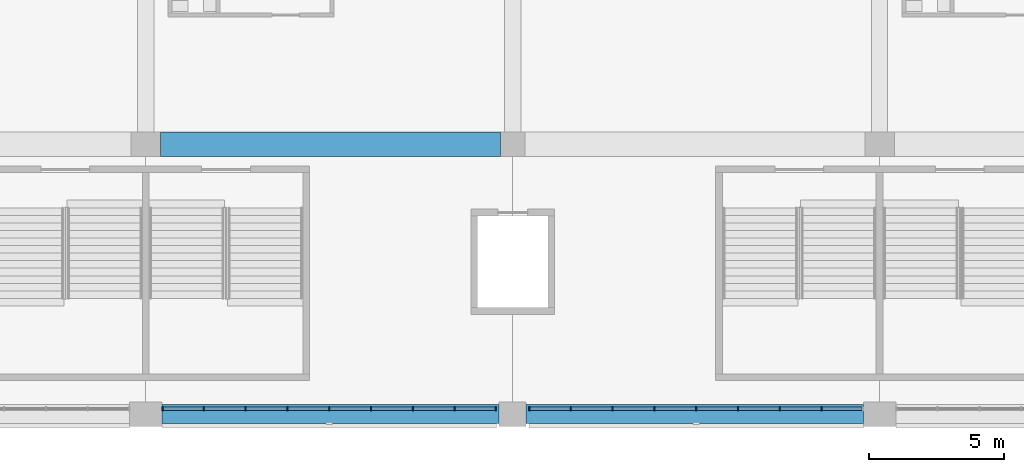
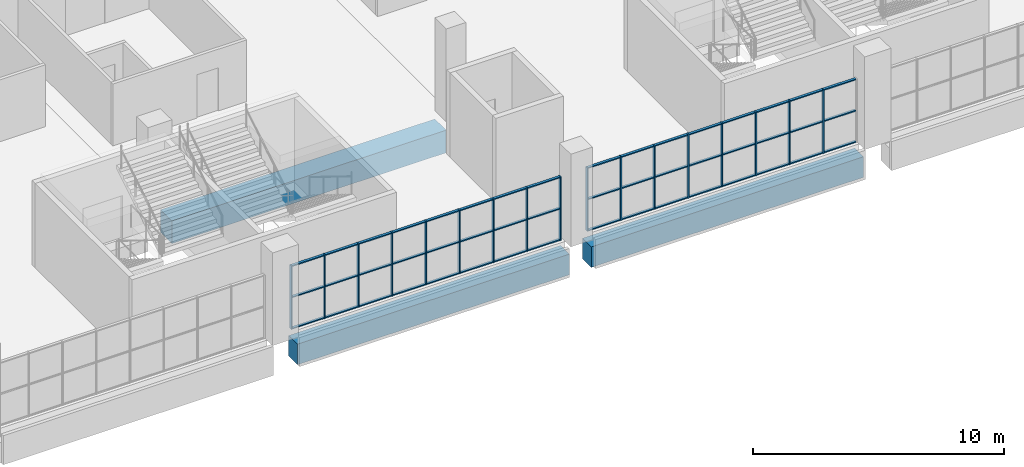
# One storey, part 11 of 199: 65 members, 3 beams, 2 elements without a shape of their own.
"""IFC4 building model written with IfcOpenShell, lengths in metres."""

from ifc_helpers import new_model, si_unit, direction, frame, origin, origin_2d, place, context, subcontext, project, spatial, rectangle, extrude, material, material_profile, profile_set, type_object, element, aggregate, save


model = new_model("IFC4")

# Units and contexts
model_context = context("Model", 3, precision=1e-05, world=origin(), true_north=direction((0.0, 1.0)))
body_context = subcontext(model_context, "Body", "Model", "MODEL_VIEW")
ifc_project = project(units=[si_unit("LENGTHUNIT", "METRE"), si_unit("AREAUNIT", "SQUARE_METRE"), si_unit("VOLUMEUNIT", "CUBIC_METRE"), si_unit("PLANEANGLEUNIT", "RADIAN"), si_unit("MASSUNIT", "GRAM", prefix="KILO")], contexts=[model_context])

# Site, building, storey
site_placement = place(None, origin())
site = spatial("IfcSite", under=ifc_project, at=site_placement, CompositionType="ELEMENT")
building_placement = place(site_placement, origin())
building = spatial("IfcBuilding", under=site, at=building_placement, Name="Ogive Plaza Stadium", CompositionType="ELEMENT")
storey_placement = place(building_placement, frame((0.0, 0.0, 9.0)))
storey = spatial("IfcBuildingStorey", under=building, at=storey_placement, Name="L02", CompositionType="ELEMENT", Elevation=9.0)

# Curtain wall, members
ifc_material_1 = material(Name="Bronze-anodised aluminium with laminated glass", Category="aluminium")
curtain_wall_type = type_object("IfcCurtainWallType", Name="Lancet curtain wall", PredefinedType="NOTDEFINED", material=ifc_material_1)
curtain_wall_1_placement = place(storey_placement, origin())
curtain_wall_1 = element("IfcCurtainWall", 1, at=curtain_wall_1_placement, inside=storey, type_object=curtain_wall_type, Name="CURTAIN WALL B14 L02", PredefinedType="NOTDEFINED")
ifc_material_2 = material(Name="Bronze-anodised aluminium", Category="aluminium")
ifc_material_profile_1 = material_profile(ifc_material_2, rectangle(XDim=0.14990234375, YDim=0.050048828125, at=origin_2d()), Name="AL 150x50")
ifc_profile_set_1 = profile_set([ifc_material_profile_1], Name="Bronze-anodised aluminium")
member_type_1 = type_object("IfcMemberType", Name="Curtain wall mullion 50x150", PredefinedType="MULLION", material=ifc_profile_set_1)
member_1_placement = place(storey_placement, frame((4.64990234375, -102.300048828125, 0.0), z_axis=(0.0, 0.0, 1.0), x_axis=(0.0, -1.0, 0.0)))
member_1 = element("IfcMember", 2, at=member_1_placement, type_object=member_type_1, Name="CW-B14-L02 mullion 2", PredefinedType="MULLION", context=body_context, shape_type="SweptSolid", body=[
    extrude(rectangle(XDim=0.14990234375, YDim=0.050048828125, at=origin_2d()), origin(), (0.0, 0.0, 1.0), 3.090087890625),
])
member_2_placement = place(storey_placement, frame((3.10009765625, -102.300048828125, 0.0), z_axis=(0.0, 0.0, 1.0), x_axis=(0.0, -1.0, 0.0)))
member_2 = element("IfcMember", 3, at=member_2_placement, type_object=member_type_1, Name="CW-B14-L02 mullion 3", PredefinedType="MULLION", context=body_context, shape_type="SweptSolid", body=[
    extrude(rectangle(XDim=0.14990234375, YDim=0.050048828125, at=origin_2d()), origin(), (0.0, 0.0, 1.0), 3.090087890625),
])
member_3_placement = place(storey_placement, frame((1.550048828125, -102.300048828125, 0.0), z_axis=(0.0, 0.0, 1.0), x_axis=(0.0, -1.0, 0.0)))
member_3 = element("IfcMember", 4, at=member_3_placement, type_object=member_type_1, Name="CW-B14-L02 mullion 4", PredefinedType="MULLION", context=body_context, shape_type="SweptSolid", body=[
    extrude(rectangle(XDim=0.14990234375, YDim=0.050048828125, at=origin_2d()), origin(), (0.0, 0.0, 1.0), 3.090087890625),
])
member_4_placement = place(storey_placement, frame((0.0, -102.300048828125, 0.0), z_axis=(0.0, 0.0, 1.0), x_axis=(0.0, -1.0, 0.0)))
member_4 = element("IfcMember", 5, at=member_4_placement, type_object=member_type_1, Name="CW-B14-L02 mullion 5", PredefinedType="MULLION", context=body_context, shape_type="SweptSolid", body=[
    extrude(rectangle(XDim=0.14990234375, YDim=0.050048828125, at=origin_2d()), origin(), (0.0, 0.0, 1.0), 3.090087890625),
])
member_5_placement = place(storey_placement, frame((-1.550048828125, -102.300048828125, 0.0), z_axis=(0.0, 0.0, 1.0), x_axis=(0.0, -1.0, 0.0)))
member_5 = element("IfcMember", 6, at=member_5_placement, type_object=member_type_1, Name="CW-B14-L02 mullion 6", PredefinedType="MULLION", context=body_context, shape_type="SweptSolid", body=[
    extrude(rectangle(XDim=0.14990234375, YDim=0.050048828125, at=origin_2d()), origin(), (0.0, 0.0, 1.0), 3.090087890625),
])
member_6_placement = place(storey_placement, frame((-3.10009765625, -102.300048828125, 0.0), z_axis=(0.0, 0.0, 1.0), x_axis=(0.0, -1.0, 0.0)))
member_6 = element("IfcMember", 7, at=member_6_placement, type_object=member_type_1, Name="CW-B14-L02 mullion 7", PredefinedType="MULLION", context=body_context, shape_type="SweptSolid", body=[
    extrude(rectangle(XDim=0.14990234375, YDim=0.050048828125, at=origin_2d()), origin(), (0.0, 0.0, 1.0), 3.090087890625),
])
member_7_placement = place(storey_placement, frame((-4.64990234375, -102.300048828125, 0.0), z_axis=(0.0, 0.0, 1.0), x_axis=(0.0, -1.0, 0.0)))
member_7 = element("IfcMember", 8, at=member_7_placement, type_object=member_type_1, Name="CW-B14-L02 mullion 8", PredefinedType="MULLION", context=body_context, shape_type="SweptSolid", body=[
    extrude(rectangle(XDim=0.14990234375, YDim=0.050048828125, at=origin_2d()), origin(), (0.0, 0.0, 1.0), 3.090087890625),
])
member_8_placement = place(storey_placement, frame((-6.175048828125, -102.300048828125, 0.0), z_axis=(0.0, 0.0, 1.0), x_axis=(0.0, -1.0, 0.0)))
member_8 = element("IfcMember", 9, at=member_8_placement, type_object=member_type_1, Name="CW-B14-L02 mullion 9", PredefinedType="MULLION", context=body_context, shape_type="SweptSolid", body=[
    extrude(rectangle(XDim=0.14990234375, YDim=0.050048828125, at=origin_2d()), origin(), (0.0, 0.0, 1.0), 3.090087890625),
])

curtain_wall_2_placement = place(storey_placement, origin())
curtain_wall_2 = element("IfcCurtainWall", 10, at=curtain_wall_2_placement, inside=storey, type_object=curtain_wall_type, Name="CURTAIN WALL B15 L02", PredefinedType="NOTDEFINED")
member_9_placement = place(storey_placement, frame((-7.425048828125, -102.300048828125, 0.0), z_axis=(0.0, 0.0, 1.0), x_axis=(0.0, -1.0, 0.0)))
member_9 = element("IfcMember", 11, at=member_9_placement, type_object=member_type_1, Name="CW-B15-L02 mullion 1", PredefinedType="MULLION", context=body_context, shape_type="SweptSolid", body=[
    extrude(rectangle(XDim=0.14990234375, YDim=0.050048828125, at=origin_2d()), origin(), (0.0, 0.0, 1.0), 3.090087890625),
])
member_10_placement = place(storey_placement, frame((-8.949951171875, -102.300048828125, 0.0), z_axis=(0.0, 0.0, 1.0), x_axis=(0.0, -1.0, 0.0)))
member_10 = element("IfcMember", 12, at=member_10_placement, type_object=member_type_1, Name="CW-B15-L02 mullion 2", PredefinedType="MULLION", context=body_context, shape_type="SweptSolid", body=[
    extrude(rectangle(XDim=0.14990234375, YDim=0.050048828125, at=origin_2d()), origin(), (0.0, 0.0, 1.0), 3.090087890625),
])
member_11_placement = place(storey_placement, frame((-10.5, -102.300048828125, 0.0), z_axis=(0.0, 0.0, 1.0), x_axis=(0.0, -1.0, 0.0)))
member_11 = element("IfcMember", 13, at=member_11_placement, type_object=member_type_1, Name="CW-B15-L02 mullion 3", PredefinedType="MULLION", context=body_context, shape_type="SweptSolid", body=[
    extrude(rectangle(XDim=0.14990234375, YDim=0.050048828125, at=origin_2d()), origin(), (0.0, 0.0, 1.0), 3.090087890625),
])
member_12_placement = place(storey_placement, frame((-12.050048828125, -102.300048828125, 0.0), z_axis=(0.0, 0.0, 1.0), x_axis=(0.0, -1.0, 0.0)))
member_12 = element("IfcMember", 14, at=member_12_placement, type_object=member_type_1, Name="CW-B15-L02 mullion 4", PredefinedType="MULLION", context=body_context, shape_type="SweptSolid", body=[
    extrude(rectangle(XDim=0.14990234375, YDim=0.050048828125, at=origin_2d()), origin(), (0.0, 0.0, 1.0), 3.090087890625),
])
member_13_placement = place(storey_placement, frame((-13.60009765625, -102.300048828125, 0.0), z_axis=(0.0, 0.0, 1.0), x_axis=(0.0, -1.0, 0.0)))
member_13 = element("IfcMember", 15, at=member_13_placement, type_object=member_type_1, Name="CW-B15-L02 mullion 5", PredefinedType="MULLION", context=body_context, shape_type="SweptSolid", body=[
    extrude(rectangle(XDim=0.14990234375, YDim=0.050048828125, at=origin_2d()), origin(), (0.0, 0.0, 1.0), 3.090087890625),
])
member_14_placement = place(storey_placement, frame((-15.14990234375, -102.300048828125, 0.0), z_axis=(0.0, 0.0, 1.0), x_axis=(0.0, -1.0, 0.0)))
member_14 = element("IfcMember", 16, at=member_14_placement, type_object=member_type_1, Name="CW-B15-L02 mullion 6", PredefinedType="MULLION", context=body_context, shape_type="SweptSolid", body=[
    extrude(rectangle(XDim=0.14990234375, YDim=0.050048828125, at=origin_2d()), origin(), (0.0, 0.0, 1.0), 3.090087890625),
])
member_15_placement = place(storey_placement, frame((-16.699951171875, -102.300048828125, 0.0), z_axis=(0.0, 0.0, 1.0), x_axis=(0.0, -1.0, 0.0)))
member_15 = element("IfcMember", 17, at=member_15_placement, type_object=member_type_1, Name="CW-B15-L02 mullion 7", PredefinedType="MULLION", context=body_context, shape_type="SweptSolid", body=[
    extrude(rectangle(XDim=0.14990234375, YDim=0.050048828125, at=origin_2d()), origin(), (0.0, 0.0, 1.0), 3.090087890625),
])
member_16_placement = place(storey_placement, frame((-18.25, -102.300048828125, 0.0), z_axis=(0.0, 0.0, 1.0), x_axis=(0.0, -1.0, 0.0)))
member_16 = element("IfcMember", 18, at=member_16_placement, type_object=member_type_1, Name="CW-B15-L02 mullion 8", PredefinedType="MULLION", context=body_context, shape_type="SweptSolid", body=[
    extrude(rectangle(XDim=0.14990234375, YDim=0.050048828125, at=origin_2d()), origin(), (0.0, 0.0, 1.0), 3.090087890625),
])
member_17_placement = place(storey_placement, frame((-19.77490234375, -102.300048828125, 0.0), z_axis=(0.0, 0.0, 1.0), x_axis=(0.0, -1.0, 0.0)))
member_17 = element("IfcMember", 19, at=member_17_placement, type_object=member_type_1, Name="CW-B15-L02 mullion 9", PredefinedType="MULLION", context=body_context, shape_type="SweptSolid", body=[
    extrude(rectangle(XDim=0.14990234375, YDim=0.050048828125, at=origin_2d()), origin(), (0.0, 0.0, 1.0), 3.090087890625),
])

# Member
ifc_material_3 = material(Name="Bronze-anodised aluminium", Category="aluminium")
ifc_material_profile_2 = material_profile(ifc_material_3, rectangle(XDim=0.1201171875, YDim=0.050048828125, at=origin_2d()), Name="AL 120x50")
ifc_profile_set_2 = profile_set([ifc_material_profile_2], Name="Bronze-anodised aluminium")
member_type_2 = type_object("IfcMemberType", Name="Curtain wall transom 50x120", PredefinedType="USERDEFINED", material=ifc_profile_set_2)
member_18_placement = place(storey_placement, frame((6.14990234375, -102.300048828125, 0.02490234375), z_axis=(-1.0, 0.0, 0.0), x_axis=(0.0, -1.0, 0.0)))
member_18 = element("IfcMember", 20, at=member_18_placement, type_object=member_type_2, Name="CW-B14-L02 transom 1.1", ObjectType="TRANSOM", PredefinedType="USERDEFINED", context=body_context, shape_type="SweptSolid", body=[
    extrude(rectangle(XDim=0.1201171875, YDim=0.050048828125, at=origin_2d()), origin(), (0.0, 0.0, 1.0), 1.474853515625),
])

member_19_placement = place(storey_placement, frame((6.14990234375, -102.300048828125, 1.544921875), z_axis=(-1.0, 0.0, 0.0), x_axis=(0.0, -1.0, 0.0)))
member_19 = element("IfcMember", 21, at=member_19_placement, type_object=member_type_2, Name="CW-B14-L02 transom 1.2", ObjectType="TRANSOM", PredefinedType="USERDEFINED", context=body_context, shape_type="SweptSolid", body=[
    extrude(rectangle(XDim=0.1201171875, YDim=0.050048828125, at=origin_2d()), origin(), (0.0, 0.0, 1.0), 1.474853515625),
])

member_20_placement = place(storey_placement, frame((6.14990234375, -102.300048828125, 3.06494140625), z_axis=(-1.0, 0.0, 0.0), x_axis=(0.0, -1.0, 0.0)))
member_20 = element("IfcMember", 22, at=member_20_placement, type_object=member_type_2, Name="CW-B14-L02 transom 1.3", ObjectType="TRANSOM", PredefinedType="USERDEFINED", context=body_context, shape_type="SweptSolid", body=[
    extrude(rectangle(XDim=0.1201171875, YDim=0.050048828125, at=origin_2d()), origin(), (0.0, 0.0, 1.0), 1.474853515625),
])

member_21_placement = place(storey_placement, frame((4.625, -102.300048828125, 0.02490234375), z_axis=(-1.0, 0.0, 0.0), x_axis=(0.0, -1.0, 0.0)))
member_21 = element("IfcMember", 23, at=member_21_placement, type_object=member_type_2, Name="CW-B14-L02 transom 2.1", ObjectType="TRANSOM", PredefinedType="USERDEFINED", context=body_context, shape_type="SweptSolid", body=[
    extrude(rectangle(XDim=0.1201171875, YDim=0.050048828125, at=origin_2d()), origin(), (0.0, 0.0, 1.0), 1.5),
])

member_22_placement = place(storey_placement, frame((4.625, -102.300048828125, 1.544921875), z_axis=(-1.0, 0.0, 0.0), x_axis=(0.0, -1.0, 0.0)))
member_22 = element("IfcMember", 24, at=member_22_placement, type_object=member_type_2, Name="CW-B14-L02 transom 2.2", ObjectType="TRANSOM", PredefinedType="USERDEFINED", context=body_context, shape_type="SweptSolid", body=[
    extrude(rectangle(XDim=0.1201171875, YDim=0.050048828125, at=origin_2d()), origin(), (0.0, 0.0, 1.0), 1.5),
])

member_23_placement = place(storey_placement, frame((4.625, -102.300048828125, 3.06494140625), z_axis=(-1.0, 0.0, 0.0), x_axis=(0.0, -1.0, 0.0)))
member_23 = element("IfcMember", 25, at=member_23_placement, type_object=member_type_2, Name="CW-B14-L02 transom 2.3", ObjectType="TRANSOM", PredefinedType="USERDEFINED", context=body_context, shape_type="SweptSolid", body=[
    extrude(rectangle(XDim=0.1201171875, YDim=0.050048828125, at=origin_2d()), origin(), (0.0, 0.0, 1.0), 1.5),
])

member_24_placement = place(storey_placement, frame((3.074951171875, -102.300048828125, 0.02490234375), z_axis=(-1.0, 0.0, 0.0), x_axis=(0.0, -1.0, 0.0)))
member_24 = element("IfcMember", 26, at=member_24_placement, type_object=member_type_2, Name="CW-B14-L02 transom 3.1", ObjectType="TRANSOM", PredefinedType="USERDEFINED", context=body_context, shape_type="SweptSolid", body=[
    extrude(rectangle(XDim=0.1201171875, YDim=0.050048828125, at=origin_2d()), origin(), (0.0, 0.0, 1.0), 1.5),
])

member_25_placement = place(storey_placement, frame((3.074951171875, -102.300048828125, 1.544921875), z_axis=(-1.0, 0.0, 0.0), x_axis=(0.0, -1.0, 0.0)))
member_25 = element("IfcMember", 27, at=member_25_placement, type_object=member_type_2, Name="CW-B14-L02 transom 3.2", ObjectType="TRANSOM", PredefinedType="USERDEFINED", context=body_context, shape_type="SweptSolid", body=[
    extrude(rectangle(XDim=0.1201171875, YDim=0.050048828125, at=origin_2d()), origin(), (0.0, 0.0, 1.0), 1.5),
])

member_26_placement = place(storey_placement, frame((3.074951171875, -102.300048828125, 3.06494140625), z_axis=(-1.0, 0.0, 0.0), x_axis=(0.0, -1.0, 0.0)))
member_26 = element("IfcMember", 28, at=member_26_placement, type_object=member_type_2, Name="CW-B14-L02 transom 3.3", ObjectType="TRANSOM", PredefinedType="USERDEFINED", context=body_context, shape_type="SweptSolid", body=[
    extrude(rectangle(XDim=0.1201171875, YDim=0.050048828125, at=origin_2d()), origin(), (0.0, 0.0, 1.0), 1.5),
])

member_27_placement = place(storey_placement, frame((1.52490234375, -102.300048828125, 0.02490234375), z_axis=(-1.0, 0.0, 0.0), x_axis=(0.0, -1.0, 0.0)))
member_27 = element("IfcMember", 29, at=member_27_placement, type_object=member_type_2, Name="CW-B14-L02 transom 4.1", ObjectType="TRANSOM", PredefinedType="USERDEFINED", context=body_context, shape_type="SweptSolid", body=[
    extrude(rectangle(XDim=0.1201171875, YDim=0.050048828125, at=origin_2d()), origin(), (0.0, 0.0, 1.0), 1.5),
])

member_28_placement = place(storey_placement, frame((1.52490234375, -102.300048828125, 1.544921875), z_axis=(-1.0, 0.0, 0.0), x_axis=(0.0, -1.0, 0.0)))
member_28 = element("IfcMember", 30, at=member_28_placement, type_object=member_type_2, Name="CW-B14-L02 transom 4.2", ObjectType="TRANSOM", PredefinedType="USERDEFINED", context=body_context, shape_type="SweptSolid", body=[
    extrude(rectangle(XDim=0.1201171875, YDim=0.050048828125, at=origin_2d()), origin(), (0.0, 0.0, 1.0), 1.5),
])

member_29_placement = place(storey_placement, frame((1.52490234375, -102.300048828125, 3.06494140625), z_axis=(-1.0, 0.0, 0.0), x_axis=(0.0, -1.0, 0.0)))
member_29 = element("IfcMember", 31, at=member_29_placement, type_object=member_type_2, Name="CW-B14-L02 transom 4.3", ObjectType="TRANSOM", PredefinedType="USERDEFINED", context=body_context, shape_type="SweptSolid", body=[
    extrude(rectangle(XDim=0.1201171875, YDim=0.050048828125, at=origin_2d()), origin(), (0.0, 0.0, 1.0), 1.5),
])

member_30_placement = place(storey_placement, frame((-0.02490234375, -102.300048828125, 0.02490234375), z_axis=(-1.0, 0.0, 0.0), x_axis=(0.0, -1.0, 0.0)))
member_30 = element("IfcMember", 32, at=member_30_placement, type_object=member_type_2, Name="CW-B14-L02 transom 5.1", ObjectType="TRANSOM", PredefinedType="USERDEFINED", context=body_context, shape_type="SweptSolid", body=[
    extrude(rectangle(XDim=0.1201171875, YDim=0.050048828125, at=origin_2d()), origin(), (0.0, 0.0, 1.0), 1.5),
])

member_31_placement = place(storey_placement, frame((-0.02490234375, -102.300048828125, 1.544921875), z_axis=(-1.0, 0.0, 0.0), x_axis=(0.0, -1.0, 0.0)))
member_31 = element("IfcMember", 33, at=member_31_placement, type_object=member_type_2, Name="CW-B14-L02 transom 5.2", ObjectType="TRANSOM", PredefinedType="USERDEFINED", context=body_context, shape_type="SweptSolid", body=[
    extrude(rectangle(XDim=0.1201171875, YDim=0.050048828125, at=origin_2d()), origin(), (0.0, 0.0, 1.0), 1.5),
])

member_32_placement = place(storey_placement, frame((-0.02490234375, -102.300048828125, 3.06494140625), z_axis=(-1.0, 0.0, 0.0), x_axis=(0.0, -1.0, 0.0)))
member_32 = element("IfcMember", 34, at=member_32_placement, type_object=member_type_2, Name="CW-B14-L02 transom 5.3", ObjectType="TRANSOM", PredefinedType="USERDEFINED", context=body_context, shape_type="SweptSolid", body=[
    extrude(rectangle(XDim=0.1201171875, YDim=0.050048828125, at=origin_2d()), origin(), (0.0, 0.0, 1.0), 1.5),
])

member_33_placement = place(storey_placement, frame((-1.574951171875, -102.300048828125, 0.02490234375), z_axis=(-1.0, 0.0, 0.0), x_axis=(0.0, -1.0, 0.0)))
member_33 = element("IfcMember", 35, at=member_33_placement, type_object=member_type_2, Name="CW-B14-L02 transom 6.1", ObjectType="TRANSOM", PredefinedType="USERDEFINED", context=body_context, shape_type="SweptSolid", body=[
    extrude(rectangle(XDim=0.1201171875, YDim=0.050048828125, at=origin_2d()), origin(), (0.0, 0.0, 1.0), 1.5),
])

member_34_placement = place(storey_placement, frame((-1.574951171875, -102.300048828125, 1.544921875), z_axis=(-1.0, 0.0, 0.0), x_axis=(0.0, -1.0, 0.0)))
member_34 = element("IfcMember", 36, at=member_34_placement, type_object=member_type_2, Name="CW-B14-L02 transom 6.2", ObjectType="TRANSOM", PredefinedType="USERDEFINED", context=body_context, shape_type="SweptSolid", body=[
    extrude(rectangle(XDim=0.1201171875, YDim=0.050048828125, at=origin_2d()), origin(), (0.0, 0.0, 1.0), 1.5),
])

member_35_placement = place(storey_placement, frame((-1.574951171875, -102.300048828125, 3.06494140625), z_axis=(-1.0, 0.0, 0.0), x_axis=(0.0, -1.0, 0.0)))
member_35 = element("IfcMember", 37, at=member_35_placement, type_object=member_type_2, Name="CW-B14-L02 transom 6.3", ObjectType="TRANSOM", PredefinedType="USERDEFINED", context=body_context, shape_type="SweptSolid", body=[
    extrude(rectangle(XDim=0.1201171875, YDim=0.050048828125, at=origin_2d()), origin(), (0.0, 0.0, 1.0), 1.5),
])

member_36_placement = place(storey_placement, frame((-3.125, -102.300048828125, 0.02490234375), z_axis=(-1.0, 0.0, 0.0), x_axis=(0.0, -1.0, 0.0)))
member_36 = element("IfcMember", 38, at=member_36_placement, type_object=member_type_2, Name="CW-B14-L02 transom 7.1", ObjectType="TRANSOM", PredefinedType="USERDEFINED", context=body_context, shape_type="SweptSolid", body=[
    extrude(rectangle(XDim=0.1201171875, YDim=0.050048828125, at=origin_2d()), origin(), (0.0, 0.0, 1.0), 1.5),
])

member_37_placement = place(storey_placement, frame((-3.125, -102.300048828125, 1.544921875), z_axis=(-1.0, 0.0, 0.0), x_axis=(0.0, -1.0, 0.0)))
member_37 = element("IfcMember", 39, at=member_37_placement, type_object=member_type_2, Name="CW-B14-L02 transom 7.2", ObjectType="TRANSOM", PredefinedType="USERDEFINED", context=body_context, shape_type="SweptSolid", body=[
    extrude(rectangle(XDim=0.1201171875, YDim=0.050048828125, at=origin_2d()), origin(), (0.0, 0.0, 1.0), 1.5),
])

member_38_placement = place(storey_placement, frame((-3.125, -102.300048828125, 3.06494140625), z_axis=(-1.0, 0.0, 0.0), x_axis=(0.0, -1.0, 0.0)))
member_38 = element("IfcMember", 40, at=member_38_placement, type_object=member_type_2, Name="CW-B14-L02 transom 7.3", ObjectType="TRANSOM", PredefinedType="USERDEFINED", context=body_context, shape_type="SweptSolid", body=[
    extrude(rectangle(XDim=0.1201171875, YDim=0.050048828125, at=origin_2d()), origin(), (0.0, 0.0, 1.0), 1.5),
])

member_39_placement = place(storey_placement, frame((-4.675048828125, -102.300048828125, 0.02490234375), z_axis=(-1.0, 0.0, 0.0), x_axis=(0.0, -1.0, 0.0)))
member_39 = element("IfcMember", 41, at=member_39_placement, type_object=member_type_2, Name="CW-B14-L02 transom 8.1", ObjectType="TRANSOM", PredefinedType="USERDEFINED", context=body_context, shape_type="SweptSolid", body=[
    extrude(rectangle(XDim=0.1201171875, YDim=0.050048828125, at=origin_2d()), origin(), (0.0, 0.0, 1.0), 1.474853515625),
])

member_40_placement = place(storey_placement, frame((-4.675048828125, -102.300048828125, 1.544921875), z_axis=(-1.0, 0.0, 0.0), x_axis=(0.0, -1.0, 0.0)))
member_40 = element("IfcMember", 42, at=member_40_placement, type_object=member_type_2, Name="CW-B14-L02 transom 8.2", ObjectType="TRANSOM", PredefinedType="USERDEFINED", context=body_context, shape_type="SweptSolid", body=[
    extrude(rectangle(XDim=0.1201171875, YDim=0.050048828125, at=origin_2d()), origin(), (0.0, 0.0, 1.0), 1.474853515625),
])

member_41_placement = place(storey_placement, frame((-4.675048828125, -102.300048828125, 3.06494140625), z_axis=(-1.0, 0.0, 0.0), x_axis=(0.0, -1.0, 0.0)))
member_41 = element("IfcMember", 43, at=member_41_placement, type_object=member_type_2, Name="CW-B14-L02 transom 8.3", ObjectType="TRANSOM", PredefinedType="USERDEFINED", context=body_context, shape_type="SweptSolid", body=[
    extrude(rectangle(XDim=0.1201171875, YDim=0.050048828125, at=origin_2d()), origin(), (0.0, 0.0, 1.0), 1.474853515625),
])

aggregate(curtain_wall_1, [member_1, member_2, member_3, member_4, member_5, member_6, member_7, member_8, member_18, member_19, member_20, member_21, member_22, member_23, member_24, member_25, member_26, member_27, member_28, member_29, member_30, member_31, member_32, member_33, member_34, member_35, member_36, member_37, member_38, member_39, member_40, member_41])

member_42_placement = place(storey_placement, frame((-7.449951171875, -102.300048828125, 0.02490234375), z_axis=(-1.0, 0.0, 0.0), x_axis=(0.0, -1.0, 0.0)))
member_42 = element("IfcMember", 44, at=member_42_placement, type_object=member_type_2, Name="CW-B15-L02 transom 1.1", ObjectType="TRANSOM", PredefinedType="USERDEFINED", context=body_context, shape_type="SweptSolid", body=[
    extrude(rectangle(XDim=0.1201171875, YDim=0.050048828125, at=origin_2d()), origin(), (0.0, 0.0, 1.0), 1.47509765625),
])

member_43_placement = place(storey_placement, frame((-7.449951171875, -102.300048828125, 1.544921875), z_axis=(-1.0, 0.0, 0.0), x_axis=(0.0, -1.0, 0.0)))
member_43 = element("IfcMember", 45, at=member_43_placement, type_object=member_type_2, Name="CW-B15-L02 transom 1.2", ObjectType="TRANSOM", PredefinedType="USERDEFINED", context=body_context, shape_type="SweptSolid", body=[
    extrude(rectangle(XDim=0.1201171875, YDim=0.050048828125, at=origin_2d()), origin(), (0.0, 0.0, 1.0), 1.47509765625),
])

member_44_placement = place(storey_placement, frame((-7.449951171875, -102.300048828125, 3.06494140625), z_axis=(-1.0, 0.0, 0.0), x_axis=(0.0, -1.0, 0.0)))
member_44 = element("IfcMember", 46, at=member_44_placement, type_object=member_type_2, Name="CW-B15-L02 transom 1.3", ObjectType="TRANSOM", PredefinedType="USERDEFINED", context=body_context, shape_type="SweptSolid", body=[
    extrude(rectangle(XDim=0.1201171875, YDim=0.050048828125, at=origin_2d()), origin(), (0.0, 0.0, 1.0), 1.47509765625),
])

member_45_placement = place(storey_placement, frame((-8.97509765625, -102.300048828125, 0.02490234375), z_axis=(-1.0, 0.0, 0.0), x_axis=(0.0, -1.0, 0.0)))
member_45 = element("IfcMember", 47, at=member_45_placement, type_object=member_type_2, Name="CW-B15-L02 transom 2.1", ObjectType="TRANSOM", PredefinedType="USERDEFINED", context=body_context, shape_type="SweptSolid", body=[
    extrude(rectangle(XDim=0.1201171875, YDim=0.050048828125, at=origin_2d()), origin(), (0.0, 0.0, 1.0), 1.5),
])

member_46_placement = place(storey_placement, frame((-8.97509765625, -102.300048828125, 1.544921875), z_axis=(-1.0, 0.0, 0.0), x_axis=(0.0, -1.0, 0.0)))
member_46 = element("IfcMember", 48, at=member_46_placement, type_object=member_type_2, Name="CW-B15-L02 transom 2.2", ObjectType="TRANSOM", PredefinedType="USERDEFINED", context=body_context, shape_type="SweptSolid", body=[
    extrude(rectangle(XDim=0.1201171875, YDim=0.050048828125, at=origin_2d()), origin(), (0.0, 0.0, 1.0), 1.5),
])

member_47_placement = place(storey_placement, frame((-8.97509765625, -102.300048828125, 3.06494140625), z_axis=(-1.0, 0.0, 0.0), x_axis=(0.0, -1.0, 0.0)))
member_47 = element("IfcMember", 49, at=member_47_placement, type_object=member_type_2, Name="CW-B15-L02 transom 2.3", ObjectType="TRANSOM", PredefinedType="USERDEFINED", context=body_context, shape_type="SweptSolid", body=[
    extrude(rectangle(XDim=0.1201171875, YDim=0.050048828125, at=origin_2d()), origin(), (0.0, 0.0, 1.0), 1.5),
])

member_48_placement = place(storey_placement, frame((-10.52490234375, -102.300048828125, 0.02490234375), z_axis=(-1.0, 0.0, 0.0), x_axis=(0.0, -1.0, 0.0)))
member_48 = element("IfcMember", 50, at=member_48_placement, type_object=member_type_2, Name="CW-B15-L02 transom 3.1", ObjectType="TRANSOM", PredefinedType="USERDEFINED", context=body_context, shape_type="SweptSolid", body=[
    extrude(rectangle(XDim=0.1201171875, YDim=0.050048828125, at=origin_2d()), origin(), (0.0, 0.0, 1.0), 1.5),
])

member_49_placement = place(storey_placement, frame((-10.52490234375, -102.300048828125, 1.544921875), z_axis=(-1.0, 0.0, 0.0), x_axis=(0.0, -1.0, 0.0)))
member_49 = element("IfcMember", 51, at=member_49_placement, type_object=member_type_2, Name="CW-B15-L02 transom 3.2", ObjectType="TRANSOM", PredefinedType="USERDEFINED", context=body_context, shape_type="SweptSolid", body=[
    extrude(rectangle(XDim=0.1201171875, YDim=0.050048828125, at=origin_2d()), origin(), (0.0, 0.0, 1.0), 1.5),
])

member_50_placement = place(storey_placement, frame((-10.52490234375, -102.300048828125, 3.06494140625), z_axis=(-1.0, 0.0, 0.0), x_axis=(0.0, -1.0, 0.0)))
member_50 = element("IfcMember", 52, at=member_50_placement, type_object=member_type_2, Name="CW-B15-L02 transom 3.3", ObjectType="TRANSOM", PredefinedType="USERDEFINED", context=body_context, shape_type="SweptSolid", body=[
    extrude(rectangle(XDim=0.1201171875, YDim=0.050048828125, at=origin_2d()), origin(), (0.0, 0.0, 1.0), 1.5),
])

member_51_placement = place(storey_placement, frame((-12.074951171875, -102.300048828125, 0.02490234375), z_axis=(-1.0, 0.0, 0.0), x_axis=(0.0, -1.0, 0.0)))
member_51 = element("IfcMember", 53, at=member_51_placement, type_object=member_type_2, Name="CW-B15-L02 transom 4.1", ObjectType="TRANSOM", PredefinedType="USERDEFINED", context=body_context, shape_type="SweptSolid", body=[
    extrude(rectangle(XDim=0.1201171875, YDim=0.050048828125, at=origin_2d()), origin(), (0.0, 0.0, 1.0), 1.5),
])

member_52_placement = place(storey_placement, frame((-12.074951171875, -102.300048828125, 1.544921875), z_axis=(-1.0, 0.0, 0.0), x_axis=(0.0, -1.0, 0.0)))
member_52 = element("IfcMember", 54, at=member_52_placement, type_object=member_type_2, Name="CW-B15-L02 transom 4.2", ObjectType="TRANSOM", PredefinedType="USERDEFINED", context=body_context, shape_type="SweptSolid", body=[
    extrude(rectangle(XDim=0.1201171875, YDim=0.050048828125, at=origin_2d()), origin(), (0.0, 0.0, 1.0), 1.5),
])

member_53_placement = place(storey_placement, frame((-12.074951171875, -102.300048828125, 3.06494140625), z_axis=(-1.0, 0.0, 0.0), x_axis=(0.0, -1.0, 0.0)))
member_53 = element("IfcMember", 55, at=member_53_placement, type_object=member_type_2, Name="CW-B15-L02 transom 4.3", ObjectType="TRANSOM", PredefinedType="USERDEFINED", context=body_context, shape_type="SweptSolid", body=[
    extrude(rectangle(XDim=0.1201171875, YDim=0.050048828125, at=origin_2d()), origin(), (0.0, 0.0, 1.0), 1.5),
])

member_54_placement = place(storey_placement, frame((-13.625, -102.300048828125, 0.02490234375), z_axis=(-1.0, 0.0, 0.0), x_axis=(0.0, -1.0, 0.0)))
member_54 = element("IfcMember", 56, at=member_54_placement, type_object=member_type_2, Name="CW-B15-L02 transom 5.1", ObjectType="TRANSOM", PredefinedType="USERDEFINED", context=body_context, shape_type="SweptSolid", body=[
    extrude(rectangle(XDim=0.1201171875, YDim=0.050048828125, at=origin_2d()), origin(), (0.0, 0.0, 1.0), 1.5),
])

member_55_placement = place(storey_placement, frame((-13.625, -102.300048828125, 1.544921875), z_axis=(-1.0, 0.0, 0.0), x_axis=(0.0, -1.0, 0.0)))
member_55 = element("IfcMember", 57, at=member_55_placement, type_object=member_type_2, Name="CW-B15-L02 transom 5.2", ObjectType="TRANSOM", PredefinedType="USERDEFINED", context=body_context, shape_type="SweptSolid", body=[
    extrude(rectangle(XDim=0.1201171875, YDim=0.050048828125, at=origin_2d()), origin(), (0.0, 0.0, 1.0), 1.5),
])

member_56_placement = place(storey_placement, frame((-13.625, -102.300048828125, 3.06494140625), z_axis=(-1.0, 0.0, 0.0), x_axis=(0.0, -1.0, 0.0)))
member_56 = element("IfcMember", 58, at=member_56_placement, type_object=member_type_2, Name="CW-B15-L02 transom 5.3", ObjectType="TRANSOM", PredefinedType="USERDEFINED", context=body_context, shape_type="SweptSolid", body=[
    extrude(rectangle(XDim=0.1201171875, YDim=0.050048828125, at=origin_2d()), origin(), (0.0, 0.0, 1.0), 1.5),
])

member_57_placement = place(storey_placement, frame((-15.175048828125, -102.300048828125, 0.02490234375), z_axis=(-1.0, 0.0, 0.0), x_axis=(0.0, -1.0, 0.0)))
member_57 = element("IfcMember", 59, at=member_57_placement, type_object=member_type_2, Name="CW-B15-L02 transom 6.1", ObjectType="TRANSOM", PredefinedType="USERDEFINED", context=body_context, shape_type="SweptSolid", body=[
    extrude(rectangle(XDim=0.1201171875, YDim=0.050048828125, at=origin_2d()), origin(), (0.0, 0.0, 1.0), 1.5),
])

member_58_placement = place(storey_placement, frame((-15.175048828125, -102.300048828125, 1.544921875), z_axis=(-1.0, 0.0, 0.0), x_axis=(0.0, -1.0, 0.0)))
member_58 = element("IfcMember", 60, at=member_58_placement, type_object=member_type_2, Name="CW-B15-L02 transom 6.2", ObjectType="TRANSOM", PredefinedType="USERDEFINED", context=body_context, shape_type="SweptSolid", body=[
    extrude(rectangle(XDim=0.1201171875, YDim=0.050048828125, at=origin_2d()), origin(), (0.0, 0.0, 1.0), 1.5),
])

member_59_placement = place(storey_placement, frame((-15.175048828125, -102.300048828125, 3.06494140625), z_axis=(-1.0, 0.0, 0.0), x_axis=(0.0, -1.0, 0.0)))
member_59 = element("IfcMember", 61, at=member_59_placement, type_object=member_type_2, Name="CW-B15-L02 transom 6.3", ObjectType="TRANSOM", PredefinedType="USERDEFINED", context=body_context, shape_type="SweptSolid", body=[
    extrude(rectangle(XDim=0.1201171875, YDim=0.050048828125, at=origin_2d()), origin(), (0.0, 0.0, 1.0), 1.5),
])

member_60_placement = place(storey_placement, frame((-16.72509765625, -102.300048828125, 0.02490234375), z_axis=(-1.0, 0.0, 0.0), x_axis=(0.0, -1.0, 0.0)))
member_60 = element("IfcMember", 62, at=member_60_placement, type_object=member_type_2, Name="CW-B15-L02 transom 7.1", ObjectType="TRANSOM", PredefinedType="USERDEFINED", context=body_context, shape_type="SweptSolid", body=[
    extrude(rectangle(XDim=0.1201171875, YDim=0.050048828125, at=origin_2d()), origin(), (0.0, 0.0, 1.0), 1.5),
])

member_61_placement = place(storey_placement, frame((-16.72509765625, -102.300048828125, 1.544921875), z_axis=(-1.0, 0.0, 0.0), x_axis=(0.0, -1.0, 0.0)))
member_61 = element("IfcMember", 63, at=member_61_placement, type_object=member_type_2, Name="CW-B15-L02 transom 7.2", ObjectType="TRANSOM", PredefinedType="USERDEFINED", context=body_context, shape_type="SweptSolid", body=[
    extrude(rectangle(XDim=0.1201171875, YDim=0.050048828125, at=origin_2d()), origin(), (0.0, 0.0, 1.0), 1.5),
])

member_62_placement = place(storey_placement, frame((-16.72509765625, -102.300048828125, 3.06494140625), z_axis=(-1.0, 0.0, 0.0), x_axis=(0.0, -1.0, 0.0)))
member_62 = element("IfcMember", 64, at=member_62_placement, type_object=member_type_2, Name="CW-B15-L02 transom 7.3", ObjectType="TRANSOM", PredefinedType="USERDEFINED", context=body_context, shape_type="SweptSolid", body=[
    extrude(rectangle(XDim=0.1201171875, YDim=0.050048828125, at=origin_2d()), origin(), (0.0, 0.0, 1.0), 1.5),
])

member_63_placement = place(storey_placement, frame((-18.27490234375, -102.300048828125, 0.02490234375), z_axis=(-1.0, 0.0, 0.0), x_axis=(0.0, -1.0, 0.0)))
member_63 = element("IfcMember", 65, at=member_63_placement, type_object=member_type_2, Name="CW-B15-L02 transom 8.1", ObjectType="TRANSOM", PredefinedType="USERDEFINED", context=body_context, shape_type="SweptSolid", body=[
    extrude(rectangle(XDim=0.1201171875, YDim=0.050048828125, at=origin_2d()), origin(), (0.0, 0.0, 1.0), 1.47509765625),
])

member_64_placement = place(storey_placement, frame((-18.27490234375, -102.300048828125, 1.544921875), z_axis=(-1.0, 0.0, 0.0), x_axis=(0.0, -1.0, 0.0)))
member_64 = element("IfcMember", 66, at=member_64_placement, type_object=member_type_2, Name="CW-B15-L02 transom 8.2", ObjectType="TRANSOM", PredefinedType="USERDEFINED", context=body_context, shape_type="SweptSolid", body=[
    extrude(rectangle(XDim=0.1201171875, YDim=0.050048828125, at=origin_2d()), origin(), (0.0, 0.0, 1.0), 1.47509765625),
])

member_65_placement = place(storey_placement, frame((-18.27490234375, -102.300048828125, 3.06494140625), z_axis=(-1.0, 0.0, 0.0), x_axis=(0.0, -1.0, 0.0)))
member_65 = element("IfcMember", 67, at=member_65_placement, type_object=member_type_2, Name="CW-B15-L02 transom 8.3", ObjectType="TRANSOM", PredefinedType="USERDEFINED", context=body_context, shape_type="SweptSolid", body=[
    extrude(rectangle(XDim=0.1201171875, YDim=0.050048828125, at=origin_2d()), origin(), (0.0, 0.0, 1.0), 1.47509765625),
])

aggregate(curtain_wall_2, [member_9, member_10, member_11, member_12, member_13, member_14, member_15, member_16, member_17, member_42, member_43, member_44, member_45, member_46, member_47, member_48, member_49, member_50, member_51, member_52, member_53, member_54, member_55, member_56, member_57, member_58, member_59, member_60, member_61, member_62, member_63, member_64, member_65])

# Beams
ifc_material_4 = material(Name="Concrete C40/50", Category="concrete")
ifc_material_profile_3 = material_profile(ifc_material_4, rectangle(XDim=0.89990234375, YDim=1.10009765625, at=origin_2d()), Name="RC 900x1100")
ifc_profile_set_3 = profile_set([ifc_material_profile_3], Name="Concrete C40/50")
beam_type_1 = type_object("IfcBeamType", Name="RC ring beam 900x1100", PredefinedType="BEAM", material=ifc_profile_set_3)
beam_placement = place(storey_placement, frame((-7.25, -92.5, -0.9599609375), z_axis=(-1.0, 0.0, 0.0), x_axis=(0.0, -1.0, 0.0)))
element("IfcBeam", 68, at=beam_placement, inside=storey, type_object=beam_type_1, Name="Ring beam F4 L02 B15", PredefinedType="BEAM", context=body_context, shape_type="SweptSolid", body=[
    extrude(rectangle(XDim=0.89990234375, YDim=1.10009765625, at=origin_2d()), origin(), (0.0, 0.0, 1.0), 12.60009765625),
])
ifc_material_5 = material(Name="Concrete C40/50", Category="concrete")
ifc_material_profile_4 = material_profile(ifc_material_5, rectangle(XDim=0.699951171875, YDim=1.0, at=origin_2d()), Name="RC 700x1000")
ifc_profile_set_4 = profile_set([ifc_material_profile_4], Name="Concrete C40/50")
beam_type_2 = type_object("IfcBeamType", Name="RC spandrel beam 700x1000", PredefinedType="SPANDREL", material=ifc_profile_set_4)
for number, where, z_axis, x_axis, name in (
    (69, (6.199951171875, -102.5, -0.909912109375), (-1.0, 0.0, 0.0), (0.0, -1.0, 0.0), "Ring beam F5 L02 B14"),
    (70, (-7.300048828125, -102.5, -0.909912109375), (-1.0, 0.0, 0.0), (0.0, -1.0, 0.0), "Ring beam F5 L02 B15"),
):
    element("IfcBeam", number, at=place(storey_placement, frame(where, z_axis=z_axis, x_axis=x_axis)), inside=storey, type_object=beam_type_2, Name=name, PredefinedType="SPANDREL", context=body_context, shape_type="SweptSolid", body=[
        extrude(rectangle(XDim=0.699951171875, YDim=1.0, at=origin_2d()), origin(), (0.0, 0.0, 1.0), 12.5),
    ])

save(model, "model.ifc")
